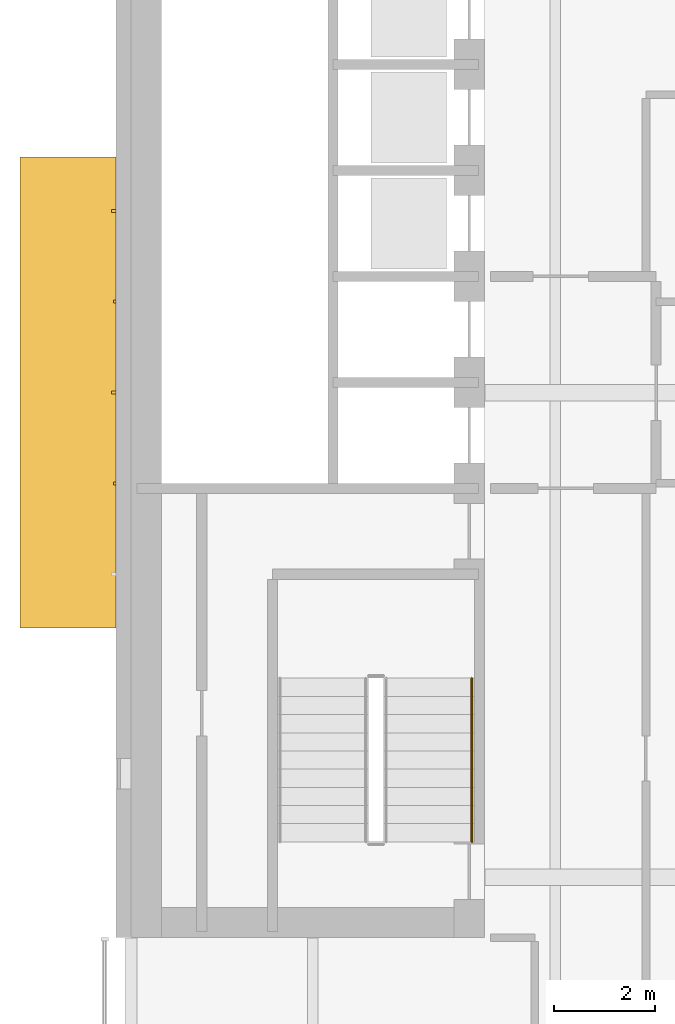
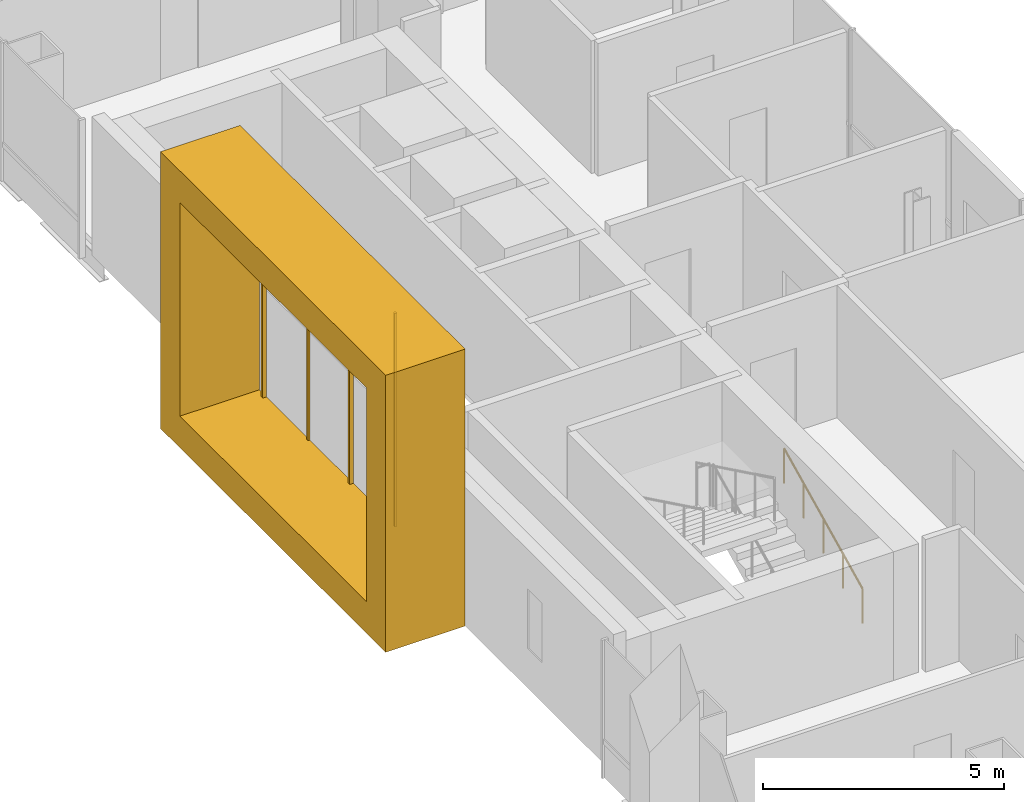
# One storey, part 16 of 20: 5 coverings, 1 railing.
"""IFC4 building model written with IfcOpenShell, lengths in metres."""

import ifcopenshell
import ifcopenshell.guid

model = None  # the IFC model being written
_history = None  # IfcOwnerHistory: only IFC2X3 demands one
_inside = {}  # id of a spatial element -> (the spatial element, [elements in it])
_under = {}  # id of a project, library or spatial element -> (it, [spatial elements below it])
_declared = {}  # id of a project -> (the project, [libraries it declares])
_typed = {}  # id of a type object -> (the type object, [elements of that type])
_made_of = {}  # id of a material, layer set ... -> (it, [elements and type objects made of it])


def new_model(schema):
    """Start an empty IFC model of exactly this schema.

    Asked for "IFC4X3", IfcOpenShell would pick the latest addendum, in which some entities
    have other attributes; the version numbers below select the first issue.
    IFC2X3 requires an IfcOwnerHistory on every rooted entity: one is made here for all.
    """
    global model, _history
    if schema == "IFC4X3":
        model = ifcopenshell.file(schema_version=(4, 3, 0, 0))
    else:
        model = ifcopenshell.file(schema=schema)
    _inside.clear()
    _under.clear()
    _declared.clear()
    _typed.clear()
    _made_of.clear()
    _history = None
    if model.schema == "IFC2X3":
        org = make("IfcOrganization", Name="unknown")
        user = make(
            "IfcPersonAndOrganization",
            ThePerson=make("IfcPerson", FamilyName="unknown"),
            TheOrganization=org,
        )
        app = make(
            "IfcApplication",
            ApplicationDeveloper=org,
            Version="unknown",
            ApplicationFullName="unknown",
            ApplicationIdentifier="unknown",
        )
        _history = make(
            "IfcOwnerHistory",
            OwningUser=user,
            OwningApplication=app,
            ChangeAction="ADDED",
            CreationDate=0,
        )
    return model


def make(cls, **values):
    """One entity of the class cls with the attributes given. An attribute that is None is left unset."""
    return model.create_entity(
        cls, **{name: value for name, value in values.items() if value is not None}
    )


def rooted(cls, **values):
    """An entity with a GlobalId (a new one), such as an element, a storey or a relation."""
    return make(cls, GlobalId=ifcopenshell.guid.new(), OwnerHistory=_history, **values)


def si_unit(unit_type, name, prefix=None):
    """IfcSIUnit, for example si_unit("LENGTHUNIT", "METRE", prefix="MILLI")."""
    return make("IfcSIUnit", UnitType=unit_type, Prefix=prefix, Name=name)


def assignment(units):
    """IfcUnitAssignment: the units of a project."""
    return None if units is None else make("IfcUnitAssignment", Units=units)


def point(xyz):
    """IfcCartesianPoint."""
    return None if xyz is None else make("IfcCartesianPoint", Coordinates=xyz)


def direction(xyz):
    """IfcDirection."""
    return None if xyz is None else make("IfcDirection", DirectionRatios=xyz)


def frame(location, z_axis=None, x_axis=None):
    """IfcAxis2Placement3D, a coordinate frame: its origin and axes. An axis left out is left unset."""
    return make(
        "IfcAxis2Placement3D",
        Location=point(location),
        Axis=direction(z_axis),
        RefDirection=direction(x_axis),
    )


def frame_2d(location, x_axis=None):
    """IfcAxis2Placement2D, a coordinate frame in the plane: its origin and x axis."""
    return make(
        "IfcAxis2Placement2D", Location=point(location), RefDirection=direction(x_axis)
    )


def origin():
    """The frame at (0, 0, 0) with its axes left unset."""
    return frame((0.0, 0.0, 0.0))


def origin_2d():
    """The frame at (0, 0) in the plane with its x axis left unset."""
    return frame_2d((0.0, 0.0))


def place(relative_to, where):
    """IfcLocalPlacement: puts the frame where relative to a parent placement (None: the world)."""
    return make(
        "IfcLocalPlacement", PlacementRelTo=relative_to, RelativePlacement=where
    )


def context(
    kind, dimensions, precision=None, world=None, true_north=None, identifier=None
):
    """IfcGeometricRepresentationContext, for example the 3D "Model" context."""
    return make(
        "IfcGeometricRepresentationContext",
        ContextIdentifier=identifier,
        ContextType=kind,
        CoordinateSpaceDimension=dimensions,
        Precision=precision,
        WorldCoordinateSystem=world,
        TrueNorth=true_north,
    )


def subcontext(parent, identifier, kind, view, scale=None):
    """IfcGeometricRepresentationSubContext, for example "Body" below "Model"."""
    return make(
        "IfcGeometricRepresentationSubContext",
        ContextIdentifier=identifier,
        ContextType=kind,
        ParentContext=parent,
        TargetScale=scale,
        TargetView=view,
    )


def project(units=None, contexts=None):
    """IfcProject with its units and contexts."""
    return rooted(
        "IfcProject",
        Name="project",
        RepresentationContexts=contexts,
        UnitsInContext=assignment(units),
    )


def spatial(cls, under=None, at=None, **own):
    """A site, building, storey or space (cls), placed at a placement, below another one or the project."""
    s = rooted(cls, ObjectPlacement=at, **own)
    if under is not None:
        _under.setdefault(under.id(), (under, []))[1].append(s)
    return s


def polyline(points):
    """IfcPolyline through the points."""
    return make("IfcPolyline", Points=[point(p) for p in points])


def profile(cls, at=None, kind="AREA", **sizes):
    """A parametric profile (cls). Its sizes go by their IFC names, for example OverallWidth=200.0."""
    return make(cls, ProfileType=kind, Position=at, **sizes)


def rectangle(**sizes):
    """IfcRectangleProfileDef."""
    return profile("IfcRectangleProfileDef", **sizes)


def circle(**sizes):
    """IfcCircleProfileDef."""
    return profile("IfcCircleProfileDef", **sizes)


def outline(outer, holes=None, kind="AREA"):
    """IfcArbitraryClosedProfileDef: a profile drawn as a closed curve; with holes, ...WithVoids."""
    if holes is None:
        return make("IfcArbitraryClosedProfileDef", ProfileType=kind, OuterCurve=outer)
    return make(
        "IfcArbitraryProfileDefWithVoids",
        ProfileType=kind,
        OuterCurve=outer,
        InnerCurves=holes,
    )


def extrude(swept, where, along, depth):
    """IfcExtrudedAreaSolid: the profile swept, set in the frame where, extruded along a direction by depth."""
    return make(
        "IfcExtrudedAreaSolid",
        SweptArea=swept,
        Position=where,
        ExtrudedDirection=direction(along),
        Depth=depth,
    )


def shape(context_of_items, identifier, shape_type, items):
    """IfcShapeRepresentation: the items that make up one representation, for example the "Body"."""
    return make(
        "IfcShapeRepresentation",
        ContextOfItems=context_of_items,
        RepresentationIdentifier=identifier,
        RepresentationType=shape_type,
        Items=items,
    )


def material(Name=None, Category=None):
    """IfcMaterial."""
    return make("IfcMaterial", Name=Name, Category=Category)


def made_of(thing, what):
    """Note that an element or type object is made of a material, layer set ...; save() writes the relation."""
    if what is not None:
        _made_of.setdefault(what.id(), (what, []))[1].append(thing)
    return thing


def type_object(cls, material=None, **own):
    """A type object (cls), such as IfcWallType, which elements share."""
    return made_of(rooted(cls, **own), material)


def element(
    cls,
    number,
    at=None,
    inside=None,
    cuts=None,
    type_object=None,
    material=None,
    context=None,
    identifier="Body",
    shape_type=None,
    held_by="IfcProductDefinitionShape",
    body=None,
    shapes=None,
    **own,
):
    """One element of the class cls, such as IfcWall. Its Tag is "e" and its number.

    at: its placement. inside: the storey or other place that contains it. cuts: it is an
    opening in that element (IfcRelVoidsElement). A single representation is given by context,
    identifier, shape_type and body (its items); several are given by shapes. held_by: the class
    of the entity that holds the representations. save() writes the other relations.
    """
    e = rooted(cls, Tag="e%d" % number, ObjectPlacement=at, **own)
    if body is not None:
        shapes = [shape(context, identifier, shape_type, body)]
    if shapes is not None:
        e.Representation = make(held_by, Representations=shapes)
    if inside is not None:
        _inside.setdefault(inside.id(), (inside, []))[1].append(e)
    if cuts is not None:
        rooted(
            "IfcRelVoidsElement", RelatingBuildingElement=cuts, RelatedOpeningElement=e
        )
    if type_object is not None:
        _typed.setdefault(type_object.id(), (type_object, []))[1].append(e)
    return made_of(e, material)


def aggregate(whole, parts):
    """IfcRelAggregates: a whole, such as a stair, and the parts it consists of."""
    return rooted("IfcRelAggregates", RelatingObject=whole, RelatedObjects=parts)


def save(model, path):
    """Write the relations noted so far, then the file.

    IfcRelAggregates (storeys below a building ...), IfcRelContainedInSpatialStructure (elements
    in a storey), IfcRelDefinesByType, IfcRelAssociatesMaterial and IfcRelDeclares: one each for
    every whole, place, type object, material and project.
    """
    for whole, parts in _under.values():
        aggregate(whole, parts)
    for where, things in _inside.values():
        rooted(
            "IfcRelContainedInSpatialStructure",
            RelatedElements=things,
            RelatingStructure=where,
        )
    for kind, things in _typed.values():
        rooted("IfcRelDefinesByType", RelatedObjects=things, RelatingType=kind)
    for what, things in _made_of.values():
        rooted("IfcRelAssociatesMaterial", RelatedObjects=things, RelatingMaterial=what)
    for by, libraries in _declared.values():
        rooted("IfcRelDeclares", RelatingContext=by, RelatedDefinitions=libraries)
    model.write(path)


model = new_model("IFC4")

# Units and contexts
model_context = context("Model", 3, precision=1e-05, world=origin(), true_north=direction((0.0, 1.0)))
body_context = subcontext(model_context, "Body", "Model", "MODEL_VIEW")
ifc_project = project(units=[si_unit("LENGTHUNIT", "METRE"), si_unit("AREAUNIT", "SQUARE_METRE"), si_unit("VOLUMEUNIT", "CUBIC_METRE"), si_unit("PLANEANGLEUNIT", "RADIAN"), si_unit("MASSUNIT", "GRAM", prefix="KILO")], contexts=[model_context])

# Site, building, storey
site_placement = place(None, origin())
site = spatial("IfcSite", under=ifc_project, at=site_placement, CompositionType="ELEMENT")
building_placement = place(site_placement, origin())
building = spatial("IfcBuilding", under=site, at=building_placement, Name="Cobrizo Arcos Hotel Tower", CompositionType="ELEMENT")
storey_placement = place(building_placement, frame((0.0, 0.0, 124.0)))
storey = spatial("IfcBuildingStorey", under=building, at=storey_placement, Name="L31", CompositionType="ELEMENT", Elevation=124.0)

# Coverings
ifc_material_1 = material(Name="Aluminium 6063-T6 anodised bronze", Category="aluminium")
covering_type_1 = type_object("IfcCoveringType", Name="FIN-F 1900", PredefinedType="CLADDING", material=ifc_material_1)
covering_placement = place(storey_placement, frame((-23.10009765625, 4.66259765625, 0.0), z_axis=(-1.0, 0.0, 0.0), x_axis=(0.0, -1.0, 0.0)))
element("IfcCovering", 1, at=covering_placement, inside=storey, type_object=covering_type_1, Name="Fin frame 167", PredefinedType="CLADDING", context=body_context, shape_type="SweptSolid", body=[
    extrude(outline(polyline([(0.0, 7.0), (0.0, 0.0), (9.324951171875, 0.0), (9.324951171875, 7.0), (0.0, 7.0)]), holes=[polyline([(8.52490234375, 0.800048828125), (0.800048828125, 0.800048828125), (0.800048828125, 6.199951171875), (8.52490234375, 6.199951171875), (8.52490234375, 0.800048828125)])]), origin(), (0.0, 0.0, 1.0), 1.89990234375),
])
ifc_material_2 = material(Name="Aluminium 6063-T6 anodised pale", Category="aluminium")
covering_type_2 = type_object("IfcCoveringType", Name="RS-1 rainscreen rib 60x90", PredefinedType="CLADDING", material=ifc_material_2)
for number, where, z_axis, x_axis, name in (
    (2, (-23.14501953125, 3.60009765625, 0.800048828125), (0.0, 0.0, 1.0), (0.0, -1.0, 0.0), "Rainscreen rib 164"),
    (3, (-23.14501953125, 0.0, 0.800048828125), (0.0, 0.0, 1.0), (0.0, -1.0, 0.0), "Rainscreen rib 166"),
):
    element("IfcCovering", number, at=place(storey_placement, frame(where, z_axis=z_axis, x_axis=x_axis)), inside=storey, type_object=covering_type_2, Name=name, PredefinedType="CLADDING", context=body_context, shape_type="SweptSolid", body=[
        extrude(rectangle(XDim=0.06005859375, YDim=0.090087890625, at=origin_2d()), origin(), (0.0, 0.0, 1.0), 5.39990234375),
    ])
covering_type_3 = type_object("IfcCoveringType", Name="RS-2 rainscreen rib 60x50", PredefinedType="CLADDING", material=ifc_material_2)
for number, where, z_axis, x_axis, name in (
    (4, (-23.125, 1.800048828125, 0.800048828125), (0.0, 0.0, 1.0), (0.0, -1.0, 0.0), "Rainscreen rib 165"),
    (5, (-23.125, -1.800048828125, 0.800048828125), (0.0, 0.0, 1.0), (0.0, -1.0, 0.0), "Rainscreen rib 167"),
):
    element("IfcCovering", number, at=place(storey_placement, frame(where, z_axis=z_axis, x_axis=x_axis)), inside=storey, type_object=covering_type_3, Name=name, PredefinedType="CLADDING", context=body_context, shape_type="SweptSolid", body=[
        extrude(rectangle(XDim=0.06005859375, YDim=0.050048828125, at=origin_2d()), origin(), (0.0, 0.0, 1.0), 5.39990234375),
    ])

# Railing
ifc_material_3 = material(Name="Stainless steel railing", Category="steel")
railing_type = type_object("IfcRailingType", Name="Stair handrail", PredefinedType="HANDRAIL", material=ifc_material_3)
railing_placement = place(storey_placement, frame((-16.050048828125, -8.89990234375, 0.175048828125)))
element("IfcRailing", 6, at=railing_placement, inside=storey, type_object=railing_type, Name="L31 ST-W stair handrail 1", PredefinedType="HANDRAIL", context=body_context, shape_type="SweptSolid", body=[
    extrude(circle(Radius=0.02392578125, at=origin_2d()), frame((0.0, 0.0, 0.8759765625), z_axis=(0.0, 0.899372665325, 0.437182809435), x_axis=(-1.0, 0.0, 0.0)), (0.0, 0.0, 1.0), 3.6025390625),
    extrude(circle(Radius=0.02099609375, at=origin_2d()), origin(), (0.0, 0.0, 1.0), 0.851806640625),
    extrude(circle(Radius=0.02099609375, at=origin_2d()), frame((0.0, 0.81005859375, 0.393798828125)), (0.0, 0.0, 1.0), 0.851806640625),
    extrude(circle(Radius=0.02099609375, at=origin_2d()), frame((0.0, 1.6201171875, 0.78759765625)), (0.0, 0.0, 1.0), 0.851806640625),
    extrude(circle(Radius=0.02099609375, at=origin_2d()), frame((0.0, 2.429931640625, 1.18115234375)), (0.0, 0.0, 1.0), 0.851806640625),
    extrude(circle(Radius=0.02099609375, at=origin_2d()), frame((0.0, 3.239990234375, 1.574951171875)), (0.0, 0.0, 1.0), 0.851806640625),
])

save(model, "model.ifc")
